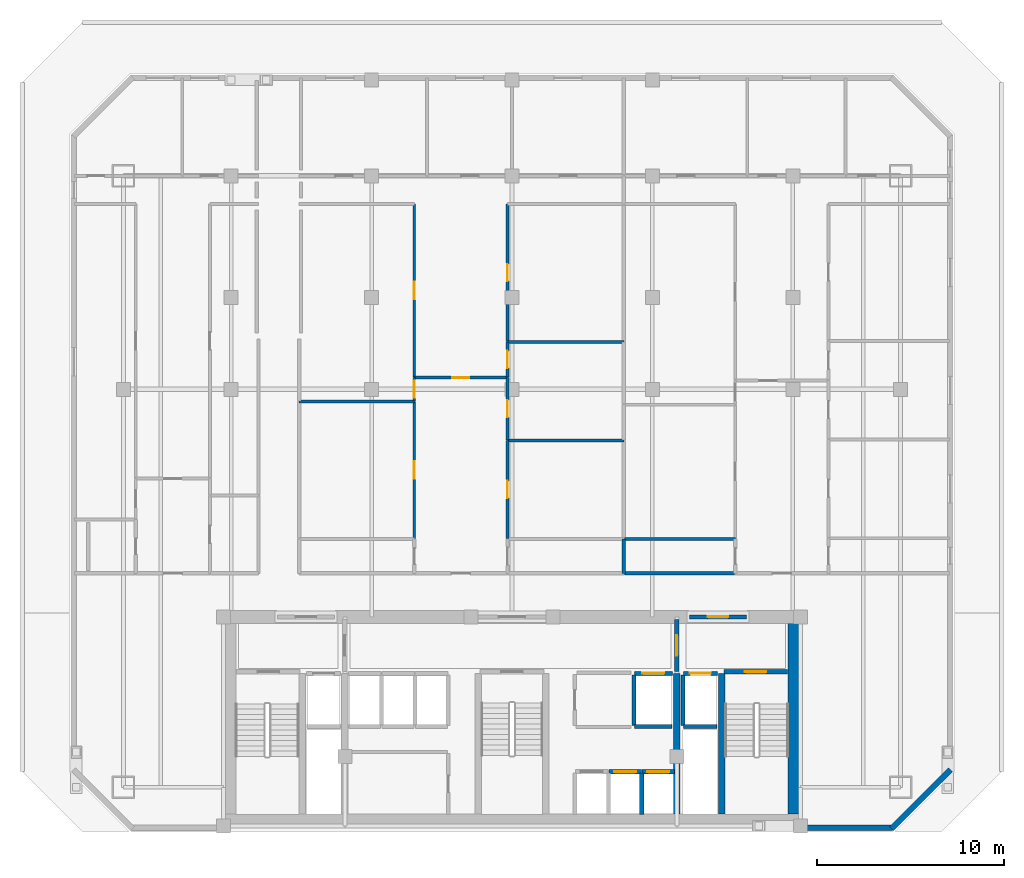
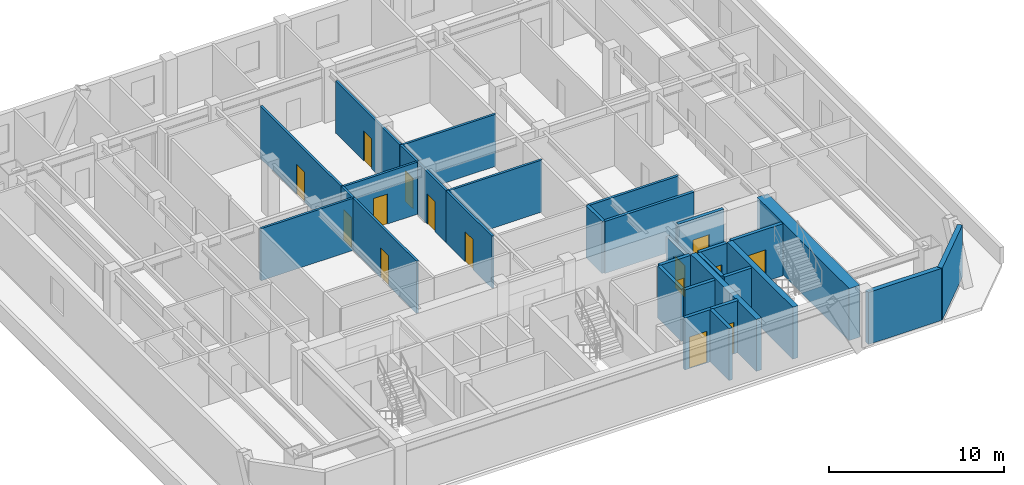
# One storey, part 4 of 8: 31 walls, 15 doors, 15 openings.
"""IFC4 building model written with IfcOpenShell, lengths in metres."""

from ifc_helpers import new_model, si_unit, direction, frame, frame_2d, origin, place, context, subcontext, project, spatial, rectangle, extrude, material, layer, layer_set, type_object, element, fill, save


model = new_model("IFC4")

# Units and contexts
model_context = context("Model", 3, precision=1e-05, world=origin(), true_north=direction((0.0, 1.0)))
body_context = subcontext(model_context, "Body", "Model", "MODEL_VIEW")
ifc_project = project(units=[si_unit("LENGTHUNIT", "METRE"), si_unit("AREAUNIT", "SQUARE_METRE"), si_unit("VOLUMEUNIT", "CUBIC_METRE"), si_unit("PLANEANGLEUNIT", "RADIAN"), si_unit("MASSUNIT", "GRAM", prefix="KILO")], contexts=[model_context])

# Site, building, storey
site_placement = place(None, origin())
site = spatial("IfcSite", under=ifc_project, at=site_placement, CompositionType="ELEMENT")
building_placement = place(site_placement, origin())
building = spatial("IfcBuilding", under=site, at=building_placement, Name="Ventersveld Concourse Tower", CompositionType="ELEMENT")
storey_placement = place(building_placement, frame((0.0, 0.0, 156.75)))
storey = spatial("IfcBuildingStorey", under=building, at=storey_placement, Name="L38", CompositionType="ELEMENT", Elevation=156.75)

# Walls
ifc_material_1 = material(Name="Concrete C60/75", Category="concrete")
ifc_layer_1 = layer(ifc_material_1, 0.35009765625)
ifc_layer_set_1 = layer_set([ifc_layer_1], Name="Concrete C60/75")
wall_type_1 = type_object("IfcWallType", Name="WL-CORE-350L", PredefinedType="SHEAR", material=ifc_layer_set_1)
for number, where, z_axis, x_axis, name in (
    (1, (37.550048828125, 0.919921875, 0.0), (0.0, 0.0, 1.0), (0.0, 1.0, 0.0), "L38 Core Internal Shear Web W-SVL-W"),
    (2, (39.9599609375, 0.919921875, 0.0), (0.0, 0.0, 1.0), (0.0, 1.0, 0.0), "L38 Core Internal Shear Web W-ST2-W"),
):
    element("IfcWall", number, at=place(storey_placement, frame(where, z_axis=z_axis, x_axis=x_axis)), inside=storey, type_object=wall_type_1, Name=name, PredefinedType="SHEAR", context=body_context, shape_type="SweptSolid", body=[
        extrude(rectangle(XDim=7.5, YDim=0.35009765625, at=frame_2d((3.75, 0.0))), origin(), (0.0, 0.0, 1.0), 3.6298828125),
    ])
ifc_layer_2 = layer(ifc_material_1, 0.699951171875)
ifc_layer_set_2 = layer_set([ifc_layer_2], Name="Concrete C60/75")
wall_type_2 = type_object("IfcWallType", Name="WL-CORE-700", PredefinedType="SHEAR", material=ifc_layer_set_2)
wall_1_placement = place(storey_placement, frame((43.85009765625, 0.919921875, 0.0), z_axis=(0.0, 0.0, 1.0), x_axis=(0.0, 1.0, 0.0)))
element("IfcWall", 3, at=wall_1_placement, inside=storey, type_object=wall_type_2, Name="L38 Rear Core East Shear Wall", PredefinedType="SHEAR", context=body_context, shape_type="SweptSolid", body=[
    extrude(rectangle(XDim=10.530029296875, YDim=0.699951171875, at=frame_2d((5.26513671875, 0.0))), origin(), (0.0, 0.0, 1.0), 3.6298828125),
])
ifc_material_2 = material(Name="Fire-rated autoclaved aerated masonry blockwork", Category="masonry")
ifc_layer_3 = layer(ifc_material_2, 0.179931640625)
ifc_layer_set_3 = layer_set([ifc_layer_3], Name="Fire-rated autoclaved aerated masonry blockwork")
wall_type_3 = type_object("IfcWallType", Name="WL-CORR-180", PredefinedType="PARTITIONING", material=ifc_layer_set_3)
wall_2_placement = place(storey_placement, frame((34.7548828125, 13.77001953125, 0.0), z_axis=(0.0, 0.0, 1.0), x_axis=(1.0, 0.0, 0.0)))
element("IfcWall", 4, at=wall_2_placement, inside=storey, type_object=wall_type_3, Name="L38 Interior Partition SP-L38-COR-SP-L38-38N2-BATH", PredefinedType="PARTITIONING", context=body_context, shape_type="SweptSolid", body=[
    extrude(rectangle(XDim=5.884033203125, YDim=0.179931640625, at=frame_2d((2.94189453125, 0.0))), origin(), (0.0, 0.0, 1.0), 3.6298828125),
])
ifc_layer_4 = layer(ifc_material_2, 0.199951171875)
ifc_layer_set_4 = layer_set([ifc_layer_4], Name="Fire-rated autoclaved aerated masonry blockwork")
wall_type_4 = type_object("IfcWallType", Name="WL-DEMISE-200", PredefinedType="PARTITIONING", material=ifc_layer_set_4)
wall_3_placement = place(storey_placement, frame((34.719970703125, 13.764892578125, 0.0), z_axis=(0.0, 0.0, 1.0), x_axis=(0.0, 1.0, 0.0)))
element("IfcWall", 5, at=wall_3_placement, inside=storey, type_object=wall_type_4, Name="L38 Interior Partition SP-L38-38N1-KIT-SP-L38-38N2-BATH", PredefinedType="PARTITIONING", context=body_context, shape_type="SweptSolid", body=[
    extrude(rectangle(XDim=1.840087890625, YDim=0.199951171875, at=frame_2d((0.919921875, 0.0))), origin(), (0.0, 0.0, 1.0), 3.6298828125),
])
ifc_layer_5 = layer(ifc_material_2, 0.219970703125)
ifc_layer_set_5 = layer_set([ifc_layer_5], Name="Fire-rated autoclaved aerated masonry blockwork")
wall_type_5 = type_object("IfcWallType", Name="WL-HOIST-220", PredefinedType="SOLIDWALL", material=ifc_layer_set_5)
wall_4_placement = place(storey_placement, frame((37.919921875, 5.590087890625, 0.0), z_axis=(0.0, 0.0, 1.0), x_axis=(1.0, 0.0, 0.0)))
element("IfcWall", 6, at=wall_4_placement, inside=storey, type_object=wall_type_5, Name="L38 Lift Hoistway Back Wall FFL-02", PredefinedType="SOLIDWALL", context=body_context, shape_type="SweptSolid", body=[
    extrude(rectangle(XDim=1.780029296875, YDim=0.219970703125, at=frame_2d((0.89013671875, 0.0))), origin(), (0.0, 0.0, 1.0), 3.6298828125),
])
wall_5_placement = place(storey_placement, frame((37.8798828125, 5.64990234375, 0.0), z_axis=(0.0, 0.0, 1.0), x_axis=(0.0, 1.0, 0.0)))
element("IfcWall", 7, at=wall_5_placement, inside=storey, type_object=wall_type_5, Name="L38 Lift Hoistway Side Wall FFL-02W", PredefinedType="SOLIDWALL", context=body_context, shape_type="SweptSolid", body=[
    extrude(rectangle(XDim=2.7001953125, YDim=0.219970703125, at=frame_2d((1.35009765625, 0.0))), origin(), (0.0, 0.0, 1.0), 3.6298828125),
])

# Wall, opening, door
wall_6_placement = place(storey_placement, frame((37.89990234375, 8.429931640625, 0.0), z_axis=(0.0, 0.0, 1.0), x_axis=(1.0, 0.0, 0.0)))
wall_6 = element("IfcWall", 8, at=wall_6_placement, inside=storey, type_object=wall_type_5, Name="L38 Lift Hoistway Front Wall FFL-02", PredefinedType="SOLIDWALL", context=body_context, shape_type="SweptSolid", body=[
    extrude(rectangle(XDim=1.820068359375, YDim=0.219970703125, at=frame_2d((0.91015625, 0.0))), origin(), (0.0, 0.0, 1.0), 3.6298828125),
])
opening_1_placement = place(wall_6_placement, frame((0.35009765625, 0.0, 0.0)))
opening_1 = element("IfcOpeningElement", 9, at=opening_1_placement, cuts=wall_6, Name="Opening LD1", PredefinedType="OPENING", context=body_context, shape_type="SweptSolid", body=[
    extrude(rectangle(XDim=1.1201171875, YDim=2.25, at=frame_2d((0.56005859375, 1.125))), frame((0.0, 0.1201171875, 0.0), z_axis=(0.0, -1.0, 0.0), x_axis=(1.0, 0.0, 0.0)), (0.0, 0.0, 1.0), 0.239990234375),
])
ifc_material_3 = material(Name="Brushed stainless steel 316", Category="steel")
door_type_1 = type_object("IfcDoorType", Name="LD-FF-112", OperationType="SLIDING_TO_LEFT", PredefinedType="DOOR", material=ifc_material_3)
door_1_placement = place(opening_1_placement, origin())
door_1 = element("IfcDoor", 10, at=door_1_placement, inside=storey, type_object=door_type_1, Name="L38 Lift landing door FFL-02 (LD-L38-FFL-02)", OperationType="SLIDING_TO_RIGHT", OverallHeight=2.25, OverallWidth=1.1201171875, PredefinedType="DOOR", context=body_context, shape_type="SweptSolid", body=[
    extrude(rectangle(XDim=1.1201171875, YDim=2.25, at=frame_2d((0.56005859375, 1.125))), frame((0.0, 0.02490234375, 0.0), z_axis=(0.0, -1.0, 0.0), x_axis=(1.0, 0.0, 0.0)), (0.0, 0.0, 1.0), 0.050048828125),
])
fill(opening_1, door_1)

# Walls
wall_7_placement = place(storey_placement, frame((35.300048828125, 5.590087890625, 0.0), z_axis=(0.0, 0.0, 1.0), x_axis=(1.0, 0.0, 0.0)))
element("IfcWall", 11, at=wall_7_placement, inside=storey, type_object=wall_type_5, Name="L38 Lift Hoistway Back Wall SVL-01", PredefinedType="SOLIDWALL", context=body_context, shape_type="SweptSolid", body=[
    extrude(rectangle(XDim=2.0, YDim=0.219970703125, at=frame_2d((1.0, 0.0))), origin(), (0.0, 0.0, 1.0), 3.6298828125),
])
wall_8_placement = place(storey_placement, frame((35.260009765625, 5.64990234375, 0.0), z_axis=(0.0, 0.0, 1.0), x_axis=(0.0, 1.0, 0.0)))
element("IfcWall", 12, at=wall_8_placement, inside=storey, type_object=wall_type_5, Name="L38 Lift Hoistway Side Wall SVL-01W", PredefinedType="SOLIDWALL", context=body_context, shape_type="SweptSolid", body=[
    extrude(rectangle(XDim=2.7001953125, YDim=0.219970703125, at=frame_2d((1.35009765625, 0.0))), origin(), (0.0, 0.0, 1.0), 3.6298828125),
])

# Wall, opening, door
wall_9_placement = place(storey_placement, frame((35.280029296875, 8.429931640625, 0.0), z_axis=(0.0, 0.0, 1.0), x_axis=(1.0, 0.0, 0.0)))
wall_9 = element("IfcWall", 13, at=wall_9_placement, inside=storey, type_object=wall_type_5, Name="L38 Lift Hoistway Front Wall SVL-01", PredefinedType="SOLIDWALL", context=body_context, shape_type="SweptSolid", body=[
    extrude(rectangle(XDim=2.0400390625, YDim=0.219970703125, at=frame_2d((1.02001953125, 0.0))), origin(), (0.0, 0.0, 1.0), 3.6298828125),
])
opening_2_placement = place(wall_9_placement, frame((0.429931640625, 0.0, 0.0)))
opening_2 = element("IfcOpeningElement", 14, at=opening_2_placement, cuts=wall_9, Name="Opening LD2", PredefinedType="OPENING", context=body_context, shape_type="SweptSolid", body=[
    extrude(rectangle(XDim=1.179931640625, YDim=2.199951171875, at=frame_2d((0.58984375, 1.10009765625))), frame((0.0, 0.1201171875, 0.0), z_axis=(0.0, -1.0, 0.0), x_axis=(1.0, 0.0, 0.0)), (0.0, 0.0, 1.0), 0.239990234375),
])
door_type_2 = type_object("IfcDoorType", Name="LD-PAX-118", OperationType="SLIDING_TO_LEFT", PredefinedType="DOOR", material=ifc_material_3)
door_2_placement = place(opening_2_placement, origin())
door_2 = element("IfcDoor", 15, at=door_2_placement, inside=storey, type_object=door_type_2, Name="L38 Lift landing door SVL-01 (LD-L38-SVL-01)", OperationType="SLIDING_TO_LEFT", OverallHeight=2.199951171875, OverallWidth=1.179931640625, PredefinedType="DOOR", context=body_context, shape_type="SweptSolid", body=[
    extrude(rectangle(XDim=1.179931640625, YDim=2.199951171875, at=frame_2d((0.58984375, 1.10009765625))), frame((0.0, 0.02490234375, 0.0), z_axis=(0.0, -1.0, 0.0), x_axis=(1.0, 0.0, 0.0)), (0.0, 0.0, 1.0), 0.050048828125),
])
fill(opening_2, door_2)

# Wall
wall_10_placement = place(storey_placement, frame((35.679931640625, 0.89990234375, 0.0), z_axis=(0.0, 0.0, 1.0), x_axis=(0.0, 1.0, 0.0)))
element("IfcWall", 16, at=wall_10_placement, inside=storey, type_object=wall_type_5, Name="L38 Lift Hoistway Side Wall PM-02E", PredefinedType="SOLIDWALL", context=body_context, shape_type="SweptSolid", body=[
    extrude(rectangle(XDim=2.2001953125, YDim=0.219970703125, at=frame_2d((1.10009765625, 0.0))), origin(), (0.0, 0.0, 1.0), 3.6298828125),
])

# Wall, opening, door
wall_11_placement = place(storey_placement, frame((33.919921875, 3.179931640625, 0.0), z_axis=(0.0, 0.0, 1.0), x_axis=(1.0, 0.0, 0.0)))
wall_11 = element("IfcWall", 17, at=wall_11_placement, inside=storey, type_object=wall_type_5, Name="L38 Lift Hoistway Front Wall PM-02", PredefinedType="SOLIDWALL", context=body_context, shape_type="SweptSolid", body=[
    extrude(rectangle(XDim=1.739990234375, YDim=0.219970703125, at=frame_2d((0.8701171875, 0.0))), origin(), (0.0, 0.0, 1.0), 3.6298828125),
])
opening_3_placement = place(wall_11_placement, frame((0.280029296875, 0.0, 0.0)))
opening_3 = element("IfcOpeningElement", 18, at=opening_3_placement, cuts=wall_11, Name="Opening LD2", PredefinedType="OPENING", context=body_context, shape_type="SweptSolid", body=[
    extrude(rectangle(XDim=1.179931640625, YDim=2.199951171875, at=frame_2d((0.58984375, 1.10009765625))), frame((0.0, 0.1201171875, 0.0), z_axis=(0.0, -1.0, 0.0), x_axis=(1.0, 0.0, 0.0)), (0.0, 0.0, 1.0), 0.239990234375),
])
door_3_placement = place(opening_3_placement, origin())
door_3 = element("IfcDoor", 19, at=door_3_placement, inside=storey, type_object=door_type_2, Name="L38 Lift landing door PM-02 (LD-L38-PM-02)", OperationType="SLIDING_TO_LEFT", OverallHeight=2.199951171875, OverallWidth=1.179931640625, PredefinedType="DOOR", context=body_context, shape_type="SweptSolid", body=[
    extrude(rectangle(XDim=1.179931640625, YDim=2.199951171875, at=frame_2d((0.58984375, 1.10009765625))), frame((0.0, 0.02490234375, 0.0), z_axis=(0.0, -1.0, 0.0), x_axis=(1.0, 0.0, 0.0)), (0.0, 0.0, 1.0), 0.050048828125),
])
fill(opening_3, door_3)

wall_12_placement = place(storey_placement, frame((35.699951171875, 3.179931640625, 0.0), z_axis=(0.0, 0.0, 1.0), x_axis=(1.0, 0.0, 0.0)))
wall_12 = element("IfcWall", 20, at=wall_12_placement, inside=storey, type_object=wall_type_5, Name="L38 Lift Hoistway Front Wall PM-03", PredefinedType="SOLIDWALL", context=body_context, shape_type="SweptSolid", body=[
    extrude(rectangle(XDim=1.739990234375, YDim=0.219970703125, at=frame_2d((0.8701171875, 0.0))), origin(), (0.0, 0.0, 1.0), 3.6298828125),
])
opening_4_placement = place(wall_12_placement, frame((0.280029296875, 0.0, 0.0)))
opening_4 = element("IfcOpeningElement", 21, at=opening_4_placement, cuts=wall_12, Name="Opening LD2", PredefinedType="OPENING", context=body_context, shape_type="SweptSolid", body=[
    extrude(rectangle(XDim=1.179931640625, YDim=2.199951171875, at=frame_2d((0.58984375, 1.10009765625))), frame((0.0, 0.1201171875, 0.0), z_axis=(0.0, -1.0, 0.0), x_axis=(1.0, 0.0, 0.0)), (0.0, 0.0, 1.0), 0.239990234375),
])
door_4_placement = place(opening_4_placement, origin())
door_4 = element("IfcDoor", 22, at=door_4_placement, inside=storey, type_object=door_type_2, Name="L38 Lift landing door PM-03 (LD-L38-PM-03)", OperationType="SLIDING_TO_RIGHT", OverallHeight=2.199951171875, OverallWidth=1.179931640625, PredefinedType="DOOR", context=body_context, shape_type="SweptSolid", body=[
    extrude(rectangle(XDim=1.179931640625, YDim=2.199951171875, at=frame_2d((0.58984375, 1.10009765625))), frame((0.0, 0.02490234375, 0.0), z_axis=(0.0, -1.0, 0.0), x_axis=(1.0, 0.0, 0.0)), (0.0, 0.0, 1.0), 0.050048828125),
])
fill(opening_4, door_4)

wall_13_placement = place(storey_placement, frame((40.06005859375, 8.52001953125, 0.0), z_axis=(0.0, 0.0, 1.0), x_axis=(1.0, 0.0, 0.0)))
wall_13 = element("IfcWall", 23, at=wall_13_placement, inside=storey, type_object=wall_type_5, Name="L38 Escape Stair ST02 Fire Wall", PredefinedType="SOLIDWALL", context=body_context, shape_type="SweptSolid", body=[
    extrude(rectangle(XDim=3.39990234375, YDim=0.219970703125, at=frame_2d((1.699951171875, 0.0))), origin(), (0.0, 0.0, 1.0), 3.6298828125),
])
opening_5_placement = place(wall_13_placement, frame((1.125, 0.0, 0.0)))
opening_5 = element("IfcOpeningElement", 24, at=opening_5_placement, cuts=wall_13, Name="Opening FD1", PredefinedType="OPENING", context=body_context, shape_type="SweptSolid", body=[
    extrude(rectangle(XDim=1.14990234375, YDim=2.199951171875, at=frame_2d((0.574951171875, 1.10009765625))), frame((0.0, 0.1201171875, 0.0), z_axis=(0.0, -1.0, 0.0), x_axis=(1.0, 0.0, 0.0)), (0.0, 0.0, 1.0), 0.239990234375),
])
ifc_material_4 = material(Name="Galvanised painted steel", Category="steel")
door_type_3 = type_object("IfcDoorType", Name="DR-STAIR-115", OperationType="NOTDEFINED", PredefinedType="DOOR", material=ifc_material_4)
door_5_placement = place(opening_5_placement, origin())
door_5 = element("IfcDoor", 25, at=door_5_placement, inside=storey, type_object=door_type_3, Name="L38 Escape Stair Door ST02 (SD-L38-1851)", OperationType="SINGLE_SWING_RIGHT", OverallHeight=2.199951171875, OverallWidth=1.14990234375, PredefinedType="DOOR", context=body_context, shape_type="SweptSolid", body=[
    extrude(rectangle(XDim=1.14990234375, YDim=2.199951171875, at=frame_2d((0.574951171875, 1.10009765625))), frame((0.0, 0.02490234375, 0.0), z_axis=(0.0, -1.0, 0.0), x_axis=(1.0, 0.0, 0.0)), (0.0, 0.0, 1.0), 0.050048828125),
])
fill(opening_5, door_5)

wall_14_placement = place(storey_placement, frame((37.550048828125, 8.52001953125, 0.0), z_axis=(0.0, 0.0, 1.0), x_axis=(0.0, 1.0, 0.0)))
wall_14 = element("IfcWall", 26, at=wall_14_placement, inside=storey, type_object=wall_type_5, Name="L38 Firefighting Lobby Smoke-Stop Wall FFLE-SEP", PredefinedType="SOLIDWALL", context=body_context, shape_type="SweptSolid", body=[
    extrude(rectangle(XDim=2.800048828125, YDim=0.219970703125, at=frame_2d((1.39990234375, 0.0))), origin(), (0.0, 0.0, 1.0), 3.08544921875),
])
opening_6_placement = place(wall_14_placement, frame((0.85009765625, 0.0, 0.0)))
opening_6 = element("IfcOpeningElement", 27, at=opening_6_placement, cuts=wall_14, Name="Opening FD2", PredefinedType="OPENING", context=body_context, shape_type="SweptSolid", body=[
    extrude(rectangle(XDim=1.10009765625, YDim=2.199951171875, at=frame_2d((0.550048828125, 1.10009765625))), frame((0.0, 0.1201171875, 0.0), z_axis=(0.0, -1.0, 0.0), x_axis=(1.0, 0.0, 0.0)), (0.0, 0.0, 1.0), 0.239990234375),
])
door_type_4 = type_object("IfcDoorType", Name="DR-FFL-110", OperationType="NOTDEFINED", PredefinedType="DOOR", material=ifc_material_4)
door_6_placement = place(opening_6_placement, origin())
door_6 = element("IfcDoor", 28, at=door_6_placement, inside=storey, type_object=door_type_4, Name="L38 Firefighting Lobby Door FFLE-SEP (FD-L38-1854)", OperationType="SINGLE_SWING_RIGHT", OverallHeight=2.199951171875, OverallWidth=1.10009765625, PredefinedType="DOOR", context=body_context, shape_type="SweptSolid", body=[
    extrude(rectangle(XDim=1.10009765625, YDim=2.199951171875, at=frame_2d((0.550048828125, 1.10009765625))), frame((0.0, 0.02490234375, 0.0), z_axis=(0.0, -1.0, 0.0), x_axis=(1.0, 0.0, 0.0)), (0.0, 0.0, 1.0), 0.050048828125),
])
fill(opening_6, door_6)

wall_15_placement = place(storey_placement, frame((38.22998046875, 11.449951171875, 0.0), z_axis=(0.0, 0.0, 1.0), x_axis=(1.0, 0.0, 0.0)))
wall_15 = element("IfcWall", 29, at=wall_15_placement, inside=storey, type_object=wall_type_5, Name="L38 Core North Fire Portal FFLE-OUT", PredefinedType="SOLIDWALL", context=body_context, shape_type="SweptSolid", body=[
    extrude(rectangle(XDim=3.0400390625, YDim=0.219970703125, at=frame_2d((1.52001953125, 0.0))), origin(), (0.0, 0.0, 1.0), 3.6298828125),
])
opening_7_placement = place(wall_15_placement, frame((0.969970703125, 0.0, 0.0)))
opening_7 = element("IfcOpeningElement", 30, at=opening_7_placement, cuts=wall_15, Name="Opening FD2", PredefinedType="OPENING", context=body_context, shape_type="SweptSolid", body=[
    extrude(rectangle(XDim=1.10009765625, YDim=2.199951171875, at=frame_2d((0.550048828125, 1.10009765625))), frame((0.0, 0.1201171875, 0.0), z_axis=(0.0, -1.0, 0.0), x_axis=(1.0, 0.0, 0.0)), (0.0, 0.0, 1.0), 0.239990234375),
])
door_7_placement = place(opening_7_placement, origin())
door_7 = element("IfcDoor", 31, at=door_7_placement, inside=storey, type_object=door_type_4, Name="L38 Core Lobby Fire Door FFLE-OUT (FD-L38-1857)", OperationType="SINGLE_SWING_LEFT", OverallHeight=2.199951171875, OverallWidth=1.10009765625, PredefinedType="DOOR", context=body_context, shape_type="SweptSolid", body=[
    extrude(rectangle(XDim=1.10009765625, YDim=2.199951171875, at=frame_2d((0.550048828125, 1.10009765625))), frame((0.0, 0.02490234375, 0.0), z_axis=(0.0, -1.0, 0.0), x_axis=(1.0, 0.0, 0.0)), (0.0, 0.0, 1.0), 0.050048828125),
])
fill(opening_7, door_7)

ifc_material_5 = material(Name="Autoclaved aerated masonry blockwork", Category="masonry")
ifc_layer_6 = layer(ifc_material_5, 0.14990234375)
ifc_layer_set_6 = layer_set([ifc_layer_6], Name="Autoclaved aerated masonry blockwork")
wall_type_6 = type_object("IfcWallType", Name="WL-INT-150", PredefinedType="PARTITIONING", material=ifc_layer_set_6)
wall_16_placement = place(storey_placement, frame((23.5244140625, 24.2294921875, 0.0), z_axis=(0.0, 0.0, 1.0), x_axis=(1.0, 0.0, 0.0)))
wall_16 = element("IfcWall", 32, at=wall_16_placement, inside=storey, type_object=wall_type_6, Name="L38 Interior Partition SP-L38-38N1-FOY-SP-L38-38N1-LIV", PredefinedType="PARTITIONING", context=body_context, shape_type="SweptSolid", body=[
    extrude(rectangle(XDim=4.989990234375, YDim=0.14990234375, at=frame_2d((2.4951171875, 0.0))), origin(), (0.0, 0.0, 1.0), 3.6298828125),
])
opening_8_placement = place(wall_16_placement, frame((2.034912109375, 0.0, 0.0)))
opening_8 = element("IfcOpeningElement", 33, at=opening_8_placement, cuts=wall_16, Name="Opening ID1", PredefinedType="OPENING", context=body_context, shape_type="SweptSolid", body=[
    extrude(rectangle(XDim=0.919921875, YDim=2.10009765625, at=frame_2d((0.4599609375, 1.050048828125))), frame((0.0, 0.0849609375, 0.0), z_axis=(0.0, -1.0, 0.0), x_axis=(1.0, 0.0, 0.0)), (0.0, 0.0, 1.0), 0.169921875),
])
ifc_material_6 = material(Name="Solid-core hardwood veneer timber", Category="wood")
door_type_5 = type_object("IfcDoorType", Name="DR-ROOM-092", OperationType="NOTDEFINED", PredefinedType="DOOR", material=ifc_material_6)
door_8_placement = place(opening_8_placement, origin())
door_8 = element("IfcDoor", 34, at=door_8_placement, inside=storey, type_object=door_type_5, Name="L38 Interior Door SP-L38-38N1-FOY to SP-L38-38N1-LIV (D-L38-1871)", OperationType="SINGLE_SWING_LEFT", OverallHeight=2.10009765625, OverallWidth=0.919921875, PredefinedType="DOOR", context=body_context, shape_type="SweptSolid", body=[
    extrude(rectangle(XDim=0.919921875, YDim=2.10009765625, at=frame_2d((0.4599609375, 1.050048828125))), frame((0.0, 0.02490234375, 0.0), z_axis=(0.0, -1.0, 0.0), x_axis=(1.0, 0.0, 0.0)), (0.0, 0.0, 1.0), 0.050048828125),
])
fill(opening_8, door_8)

wall_17_placement = place(storey_placement, frame((23.529296875, 15.635009765625, 0.0), z_axis=(0.0, 0.0, 1.0), x_axis=(0.0, 1.0, 0.0)))
wall_17 = element("IfcWall", 35, at=wall_17_placement, inside=storey, type_object=wall_type_6, Name="L38 Interior Partition SP-L38-38N1-FOY-SP-L38-38N1-OFFL0", PredefinedType="PARTITIONING", context=body_context, shape_type="SweptSolid", body=[
    extrude(rectangle(XDim=7.319580078125, YDim=0.14990234375, at=frame_2d((3.65966796875, 0.0))), origin(), (0.0, 0.0, 1.0), 3.6298828125),
])
opening_9_placement = place(wall_17_placement, frame((3.19970703125, 0.0, 0.0)))
opening_9 = element("IfcOpeningElement", 36, at=opening_9_placement, cuts=wall_17, Name="Opening ID1", PredefinedType="OPENING", context=body_context, shape_type="SweptSolid", body=[
    extrude(rectangle(XDim=0.919921875, YDim=2.10009765625, at=frame_2d((0.4599609375, 1.050048828125))), frame((0.0, 0.0849609375, 0.0), z_axis=(0.0, -1.0, 0.0), x_axis=(1.0, 0.0, 0.0)), (0.0, 0.0, 1.0), 0.169921875),
])
door_9_placement = place(opening_9_placement, origin())
door_9 = element("IfcDoor", 37, at=door_9_placement, inside=storey, type_object=door_type_5, Name="L38 Interior Door SP-L38-38N1-FOY to SP-L38-38N1-OFFL0 (D-L38-1873)", OperationType="SINGLE_SWING_LEFT", OverallHeight=2.10009765625, OverallWidth=0.919921875, PredefinedType="DOOR", context=body_context, shape_type="SweptSolid", body=[
    extrude(rectangle(XDim=0.919921875, YDim=2.10009765625, at=frame_2d((0.4599609375, 1.050048828125))), frame((0.0, 0.02490234375, 0.0), z_axis=(0.0, -1.0, 0.0), x_axis=(1.0, 0.0, 0.0)), (0.0, 0.0, 1.0), 0.050048828125),
])
fill(opening_9, door_9)

wall_18_placement = place(storey_placement, frame((23.529296875, 22.984619140625, 0.0), z_axis=(0.0, 0.0, 1.0), x_axis=(0.0, 1.0, 0.0)))
wall_18 = element("IfcWall", 38, at=wall_18_placement, inside=storey, type_object=wall_type_6, Name="L38 Interior Partition SP-L38-38N1-FOY-SP-L38-38N1-DENL2", PredefinedType="PARTITIONING", context=body_context, shape_type="SweptSolid", body=[
    extrude(rectangle(XDim=1.25, YDim=0.14990234375, at=frame_2d((0.625, 0.0))), origin(), (0.0, 0.0, 1.0), 3.6298828125),
])
opening_10_placement = place(wall_18_placement, frame((0.1650390625, 0.0, 0.0)))
opening_10 = element("IfcOpeningElement", 39, at=opening_10_placement, cuts=wall_18, Name="Opening ID1", PredefinedType="OPENING", context=body_context, shape_type="SweptSolid", body=[
    extrude(rectangle(XDim=0.919921875, YDim=2.10009765625, at=frame_2d((0.4599609375, 1.050048828125))), frame((0.0, 0.0849609375, 0.0), z_axis=(0.0, -1.0, 0.0), x_axis=(1.0, 0.0, 0.0)), (0.0, 0.0, 1.0), 0.169921875),
])
door_10_placement = place(opening_10_placement, origin())
door_10 = element("IfcDoor", 40, at=door_10_placement, inside=storey, type_object=door_type_5, Name="L38 Interior Door SP-L38-38N1-FOY to SP-L38-38N1-DENL2 (D-L38-1874)", OperationType="SINGLE_SWING_RIGHT", OverallHeight=2.10009765625, OverallWidth=0.919921875, PredefinedType="DOOR", context=body_context, shape_type="SweptSolid", body=[
    extrude(rectangle(XDim=0.919921875, YDim=2.10009765625, at=frame_2d((0.4599609375, 1.050048828125))), frame((0.0, 0.02490234375, 0.0), z_axis=(0.0, -1.0, 0.0), x_axis=(1.0, 0.0, 0.0)), (0.0, 0.0, 1.0), 0.050048828125),
])
fill(opening_10, door_10)

wall_19_placement = place(storey_placement, frame((28.50927734375, 15.635009765625, 0.0), z_axis=(0.0, 0.0, 1.0), x_axis=(0.0, 1.0, 0.0)))
wall_19 = element("IfcWall", 41, at=wall_19_placement, inside=storey, type_object=wall_type_6, Name="L38 Interior Partition SP-L38-38N1-FOY-SP-L38-38N1-DENR", PredefinedType="PARTITIONING", context=body_context, shape_type="SweptSolid", body=[
    extrude(rectangle(XDim=5.233642578125, YDim=0.14990234375, at=frame_2d((2.61669921875, 0.0))), origin(), (0.0, 0.0, 1.0), 3.6298828125),
])
opening_11_placement = place(wall_19_placement, frame((2.156982421875, 0.0, 0.0)))
opening_11 = element("IfcOpeningElement", 42, at=opening_11_placement, cuts=wall_19, Name="Opening ID1", PredefinedType="OPENING", context=body_context, shape_type="SweptSolid", body=[
    extrude(rectangle(XDim=0.919921875, YDim=2.10009765625, at=frame_2d((0.4599609375, 1.050048828125))), frame((0.0, 0.0849609375, 0.0), z_axis=(0.0, -1.0, 0.0), x_axis=(1.0, 0.0, 0.0)), (0.0, 0.0, 1.0), 0.169921875),
])
door_11_placement = place(opening_11_placement, origin())
door_11 = element("IfcDoor", 43, at=door_11_placement, inside=storey, type_object=door_type_5, Name="L38 Interior Door SP-L38-38N1-FOY to SP-L38-38N1-DENR (D-L38-1876)", OperationType="SINGLE_SWING_RIGHT", OverallHeight=2.10009765625, OverallWidth=0.919921875, PredefinedType="DOOR", context=body_context, shape_type="SweptSolid", body=[
    extrude(rectangle(XDim=0.919921875, YDim=2.10009765625, at=frame_2d((0.4599609375, 1.050048828125))), frame((0.0, 0.02490234375, 0.0), z_axis=(0.0, -1.0, 0.0), x_axis=(1.0, 0.0, 0.0)), (0.0, 0.0, 1.0), 0.050048828125),
])
fill(opening_11, door_11)

wall_20_placement = place(storey_placement, frame((28.50927734375, 20.898681640625, 0.0), z_axis=(0.0, 0.0, 1.0), x_axis=(0.0, 1.0, 0.0)))
wall_20 = element("IfcWall", 44, at=wall_20_placement, inside=storey, type_object=wall_type_6, Name="L38 Interior Partition SP-L38-38N1-FOY-SP-L38-38N1-DENS", PredefinedType="PARTITIONING", context=body_context, shape_type="SweptSolid", body=[
    extrude(rectangle(XDim=3.3359375, YDim=0.14990234375, at=frame_2d((1.66796875, 0.0))), origin(), (0.0, 0.0, 1.0), 3.6298828125),
])
opening_12_placement = place(wall_20_placement, frame((1.2080078125, 0.0, 0.0)))
opening_12 = element("IfcOpeningElement", 45, at=opening_12_placement, cuts=wall_20, Name="Opening ID1", PredefinedType="OPENING", context=body_context, shape_type="SweptSolid", body=[
    extrude(rectangle(XDim=0.919921875, YDim=2.10009765625, at=frame_2d((0.4599609375, 1.050048828125))), frame((0.0, 0.0849609375, 0.0), z_axis=(0.0, -1.0, 0.0), x_axis=(1.0, 0.0, 0.0)), (0.0, 0.0, 1.0), 0.169921875),
])
door_12_placement = place(opening_12_placement, origin())
door_12 = element("IfcDoor", 46, at=door_12_placement, inside=storey, type_object=door_type_5, Name="L38 Interior Door SP-L38-38N1-FOY to SP-L38-38N1-DENS (D-L38-1877)", OperationType="SINGLE_SWING_LEFT", OverallHeight=2.10009765625, OverallWidth=0.919921875, PredefinedType="DOOR", context=body_context, shape_type="SweptSolid", body=[
    extrude(rectangle(XDim=0.919921875, YDim=2.10009765625, at=frame_2d((0.4599609375, 1.050048828125))), frame((0.0, 0.02490234375, 0.0), z_axis=(0.0, -1.0, 0.0), x_axis=(1.0, 0.0, 0.0)), (0.0, 0.0, 1.0), 0.050048828125),
])
fill(opening_12, door_12)

wall_21_placement = place(storey_placement, frame((23.529296875, 24.2646484375, 0.0), z_axis=(0.0, 0.0, 1.0), x_axis=(0.0, 1.0, 0.0)))
wall_21 = element("IfcWall", 47, at=wall_21_placement, inside=storey, type_object=wall_type_6, Name="L38 Interior Partition SP-L38-38N1-LIV-SP-L38-38N1-DENL2", PredefinedType="PARTITIONING", context=body_context, shape_type="SweptSolid", body=[
    extrude(rectangle(XDim=9.240234375, YDim=0.14990234375, at=frame_2d((4.6201171875, 0.0))), origin(), (0.0, 0.0, 1.0), 3.6298828125),
])
opening_13_placement = place(wall_21_placement, frame((4.16015625, 0.0, 0.0)))
opening_13 = element("IfcOpeningElement", 48, at=opening_13_placement, cuts=wall_21, Name="Opening ID1", PredefinedType="OPENING", context=body_context, shape_type="SweptSolid", body=[
    extrude(rectangle(XDim=0.919921875, YDim=2.10009765625, at=frame_2d((0.4599609375, 1.050048828125))), frame((0.0, 0.0849609375, 0.0), z_axis=(0.0, -1.0, 0.0), x_axis=(1.0, 0.0, 0.0)), (0.0, 0.0, 1.0), 0.169921875),
])
door_13_placement = place(opening_13_placement, origin())
door_13 = element("IfcDoor", 49, at=door_13_placement, inside=storey, type_object=door_type_5, Name="L38 Interior Door SP-L38-38N1-LIV to SP-L38-38N1-DENL2 (D-L38-1878)", OperationType="SINGLE_SWING_RIGHT", OverallHeight=2.10009765625, OverallWidth=0.919921875, PredefinedType="DOOR", context=body_context, shape_type="SweptSolid", body=[
    extrude(rectangle(XDim=0.919921875, YDim=2.10009765625, at=frame_2d((0.4599609375, 1.050048828125))), frame((0.0, 0.02490234375, 0.0), z_axis=(0.0, -1.0, 0.0), x_axis=(1.0, 0.0, 0.0)), (0.0, 0.0, 1.0), 0.050048828125),
])
fill(opening_13, door_13)

wall_22_placement = place(storey_placement, frame((28.50927734375, 24.2646484375, 0.0), z_axis=(0.0, 0.0, 1.0), x_axis=(0.0, 1.0, 0.0)))
wall_22 = element("IfcWall", 50, at=wall_22_placement, inside=storey, type_object=wall_type_6, Name="L38 Interior Partition SP-L38-38N1-LIV-SP-L38-38N1-DENS", PredefinedType="PARTITIONING", context=body_context, shape_type="SweptSolid", body=[
    extrude(rectangle(XDim=1.86767578125, YDim=0.14990234375, at=frame_2d((0.933837890625, 0.0))), origin(), (0.0, 0.0, 1.0), 3.6298828125),
])
opening_14_placement = place(wall_22_placement, frame((0.473876953125, 0.0, 0.0)))
opening_14 = element("IfcOpeningElement", 51, at=opening_14_placement, cuts=wall_22, Name="Opening ID1", PredefinedType="OPENING", context=body_context, shape_type="SweptSolid", body=[
    extrude(rectangle(XDim=0.919921875, YDim=2.10009765625, at=frame_2d((0.4599609375, 1.050048828125))), frame((0.0, 0.0849609375, 0.0), z_axis=(0.0, -1.0, 0.0), x_axis=(1.0, 0.0, 0.0)), (0.0, 0.0, 1.0), 0.169921875),
])
door_14_placement = place(opening_14_placement, origin())
door_14 = element("IfcDoor", 52, at=door_14_placement, inside=storey, type_object=door_type_5, Name="L38 Interior Door SP-L38-38N1-LIV to SP-L38-38N1-DENS (D-L38-1879)", OperationType="SINGLE_SWING_LEFT", OverallHeight=2.10009765625, OverallWidth=0.919921875, PredefinedType="DOOR", context=body_context, shape_type="SweptSolid", body=[
    extrude(rectangle(XDim=0.919921875, YDim=2.10009765625, at=frame_2d((0.4599609375, 1.050048828125))), frame((0.0, 0.02490234375, 0.0), z_axis=(0.0, -1.0, 0.0), x_axis=(1.0, 0.0, 0.0)), (0.0, 0.0, 1.0), 0.050048828125),
])
fill(opening_14, door_14)

wall_23_placement = place(storey_placement, frame((28.50927734375, 26.162353515625, 0.0), z_axis=(0.0, 0.0, 1.0), x_axis=(0.0, 1.0, 0.0)))
wall_23 = element("IfcWall", 53, at=wall_23_placement, inside=storey, type_object=wall_type_6, Name="L38 Interior Partition SP-L38-38N1-LIV-SP-L38-38N1-DENS2", PredefinedType="PARTITIONING", context=body_context, shape_type="SweptSolid", body=[
    extrude(rectangle(XDim=7.342529296875, YDim=0.14990234375, at=frame_2d((3.67138671875, 0.0))), origin(), (0.0, 0.0, 1.0), 3.6298828125),
])
opening_15_placement = place(wall_23_placement, frame((3.211181640625, 0.0, 0.0)))
opening_15 = element("IfcOpeningElement", 54, at=opening_15_placement, cuts=wall_23, Name="Opening ID1", PredefinedType="OPENING", context=body_context, shape_type="SweptSolid", body=[
    extrude(rectangle(XDim=0.919921875, YDim=2.10009765625, at=frame_2d((0.4599609375, 1.050048828125))), frame((0.0, 0.0849609375, 0.0), z_axis=(0.0, -1.0, 0.0), x_axis=(1.0, 0.0, 0.0)), (0.0, 0.0, 1.0), 0.169921875),
])
door_15_placement = place(opening_15_placement, origin())
door_15 = element("IfcDoor", 55, at=door_15_placement, inside=storey, type_object=door_type_5, Name="L38 Interior Door SP-L38-38N1-LIV to SP-L38-38N1-DENS2 (D-L38-1880)", OperationType="SINGLE_SWING_RIGHT", OverallHeight=2.10009765625, OverallWidth=0.919921875, PredefinedType="DOOR", context=body_context, shape_type="SweptSolid", body=[
    extrude(rectangle(XDim=0.919921875, YDim=2.10009765625, at=frame_2d((0.4599609375, 1.050048828125))), frame((0.0, 0.02490234375, 0.0), z_axis=(0.0, -1.0, 0.0), x_axis=(1.0, 0.0, 0.0)), (0.0, 0.0, 1.0), 0.050048828125),
])
fill(opening_15, door_15)

# Walls
wall_24_placement = place(storey_placement, frame((17.385009765625, 22.94970703125, 0.0), z_axis=(0.0, 0.0, 1.0), x_axis=(1.0, 0.0, 0.0)))
element("IfcWall", 56, at=wall_24_placement, inside=storey, type_object=wall_type_6, Name="L38 Interior Partition SP-L38-38N1-OFFL0-SP-L38-38N1-DENL2", PredefinedType="PARTITIONING", context=body_context, shape_type="SweptSolid", body=[
    extrude(rectangle(XDim=6.149169921875, YDim=0.14990234375, at=frame_2d((3.07470703125, 0.0))), origin(), (0.0, 0.0, 1.0), 3.6298828125),
])
for number, where, z_axis, x_axis, name in (
    (57, (28.50439453125, 20.86376953125, 0.0), (0.0, 0.0, 1.0), (1.0, 0.0, 0.0), "L38 Interior Partition SP-L38-38N1-DENR-SP-L38-38N1-DENS"),
    (58, (28.50439453125, 26.12744140625, 0.0), (0.0, 0.0, 1.0), (1.0, 0.0, 0.0), "L38 Interior Partition SP-L38-38N1-DENS-SP-L38-38N1-DENS2"),
):
    element("IfcWall", number, at=place(storey_placement, frame(where, z_axis=z_axis, x_axis=x_axis)), inside=storey, type_object=wall_type_6, Name=name, PredefinedType="PARTITIONING", context=body_context, shape_type="SweptSolid", body=[
        extrude(rectangle(XDim=6.220703125, YDim=0.14990234375, at=frame_2d((3.1103515625, 0.0))), origin(), (0.0, 0.0, 1.0), 3.6298828125),
    ])
ifc_material_7 = material(Name="Precast concrete C45/55", Category="concrete")
ifc_layer_7 = layer(ifc_material_7, 0.300048828125)
ifc_layer_set_7 = layer_set([ifc_layer_7], Name="Precast concrete C45/55")
wall_type_7 = type_object("IfcWallType", Name="WL-PREC-300", PredefinedType="SOLIDWALL", material=ifc_layer_set_7)
wall_25_placement = place(storey_placement, frame((44.25, 0.179931640625, 0.0), z_axis=(0.0, 0.0, 1.0), x_axis=(1.0, 0.0, 0.0)))
element("IfcWall", 59, at=wall_25_placement, inside=storey, type_object=wall_type_7, Name="L38 South-East Flank Precast Wall", PredefinedType="SOLIDWALL", context=body_context, shape_type="SweptSolid", body=[
    extrude(rectangle(XDim=4.81005859375, YDim=0.300048828125, at=frame_2d((2.405029296875, 0.0))), origin(), (0.0, 0.0, 1.0), 3.6298828125),
])
wall_26_placement = place(storey_placement, frame((49.022216796875, 0.134521484375, 0.0), z_axis=(0.0, 0.0, 1.0), x_axis=(0.707106781187, 0.707106781187, 0.0)))
element("IfcWall", 60, at=wall_26_placement, inside=storey, type_object=wall_type_7, Name="L38 Highveld Precast Facade Wall E02", PredefinedType="SOLIDWALL", context=body_context, shape_type="SweptSolid", body=[
    extrude(rectangle(XDim=4.4453125, YDim=0.300048828125, at=frame_2d((2.22265625, 0.0))), origin(), (0.0, 0.0, 1.0), 3.6298828125),
])
ifc_layer_8 = layer(ifc_material_5, 0.1650390625)
ifc_layer_set_8 = layer_set([ifc_layer_8], Name="Autoclaved aerated masonry blockwork")
wall_type_8 = type_object("IfcWallType", Name="WL-WET-165", PredefinedType="PLUMBINGWALL", material=ifc_layer_set_8)
wall_27_placement = place(storey_placement, frame((34.7548828125, 15.60009765625, 0.0), z_axis=(0.0, 0.0, 1.0), x_axis=(1.0, 0.0, 0.0)))
element("IfcWall", 61, at=wall_27_placement, inside=storey, type_object=wall_type_8, Name="L38 Interior Partition SP-L38-38N2-BATH-SP-L38-38N2-DENL", PredefinedType="PLUMBINGWALL", context=body_context, shape_type="SweptSolid", body=[
    extrude(rectangle(XDim=5.924072265625, YDim=0.1650390625, at=frame_2d((2.9619140625, 0.0))), origin(), (0.0, 0.0, 1.0), 3.6298828125),
])

save(model, "model.ifc")
